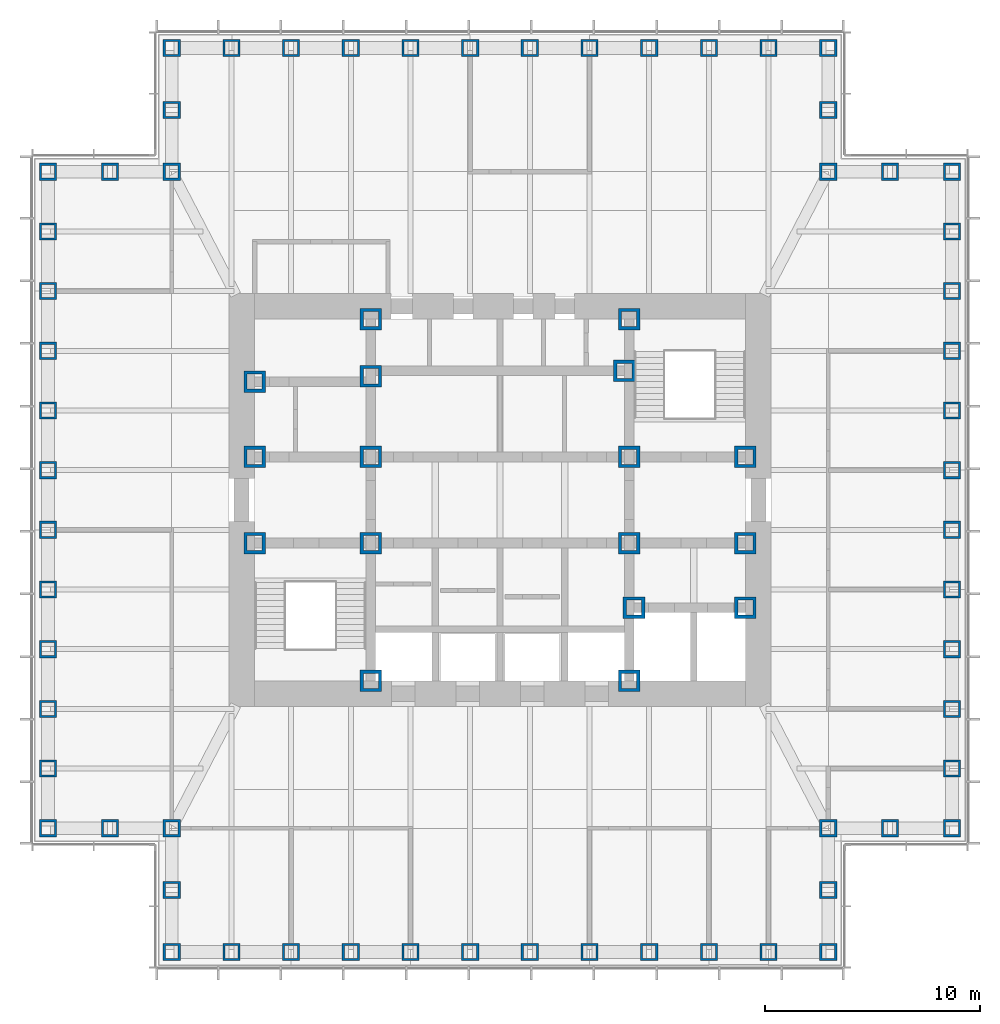
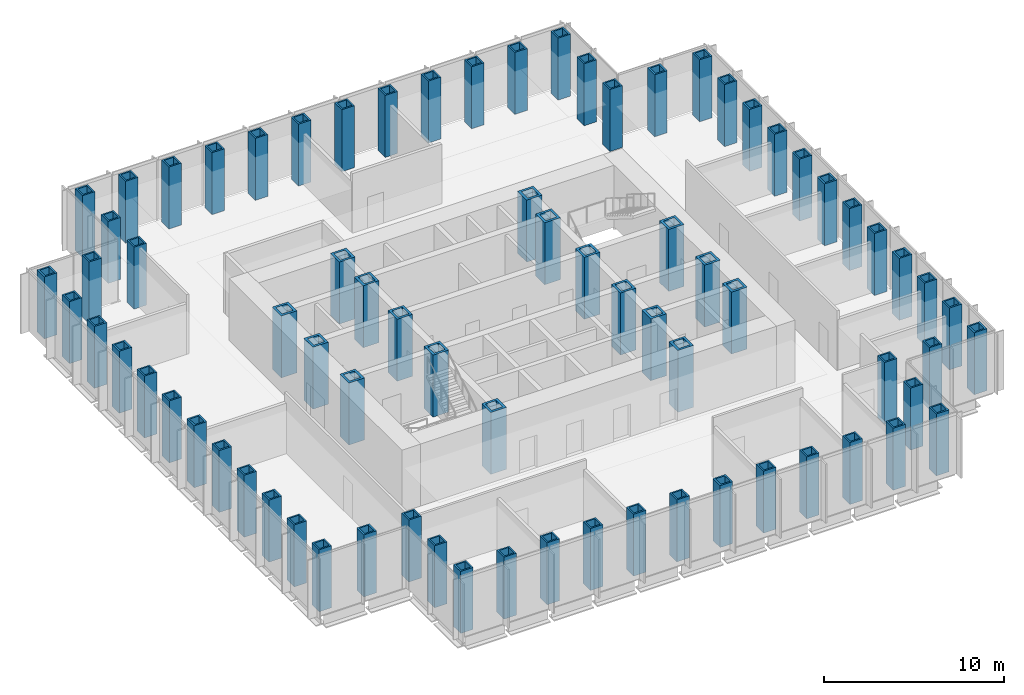
# One storey, part 1 of 16: 77 columns.
"""IFC4 building model written with IfcOpenShell, lengths in metres."""

import ifcopenshell
import ifcopenshell.guid

model = None  # the IFC model being written
_history = None  # IfcOwnerHistory: only IFC2X3 demands one
_inside = {}  # id of a spatial element -> (the spatial element, [elements in it])
_under = {}  # id of a project, library or spatial element -> (it, [spatial elements below it])
_declared = {}  # id of a project -> (the project, [libraries it declares])
_typed = {}  # id of a type object -> (the type object, [elements of that type])
_made_of = {}  # id of a material, layer set ... -> (it, [elements and type objects made of it])


def new_model(schema):
    """Start an empty IFC model of exactly this schema.

    Asked for "IFC4X3", IfcOpenShell would pick the latest addendum, in which some entities
    have other attributes; the version numbers below select the first issue.
    IFC2X3 requires an IfcOwnerHistory on every rooted entity: one is made here for all.
    """
    global model, _history
    if schema == "IFC4X3":
        model = ifcopenshell.file(schema_version=(4, 3, 0, 0))
    else:
        model = ifcopenshell.file(schema=schema)
    _inside.clear()
    _under.clear()
    _declared.clear()
    _typed.clear()
    _made_of.clear()
    _history = None
    if model.schema == "IFC2X3":
        org = make("IfcOrganization", Name="unknown")
        user = make(
            "IfcPersonAndOrganization",
            ThePerson=make("IfcPerson", FamilyName="unknown"),
            TheOrganization=org,
        )
        app = make(
            "IfcApplication",
            ApplicationDeveloper=org,
            Version="unknown",
            ApplicationFullName="unknown",
            ApplicationIdentifier="unknown",
        )
        _history = make(
            "IfcOwnerHistory",
            OwningUser=user,
            OwningApplication=app,
            ChangeAction="ADDED",
            CreationDate=0,
        )
    return model


def make(cls, **values):
    """One entity of the class cls with the attributes given. An attribute that is None is left unset."""
    return model.create_entity(
        cls, **{name: value for name, value in values.items() if value is not None}
    )


def rooted(cls, **values):
    """An entity with a GlobalId (a new one), such as an element, a storey or a relation."""
    return make(cls, GlobalId=ifcopenshell.guid.new(), OwnerHistory=_history, **values)


def si_unit(unit_type, name, prefix=None):
    """IfcSIUnit, for example si_unit("LENGTHUNIT", "METRE", prefix="MILLI")."""
    return make("IfcSIUnit", UnitType=unit_type, Prefix=prefix, Name=name)


def assignment(units):
    """IfcUnitAssignment: the units of a project."""
    return None if units is None else make("IfcUnitAssignment", Units=units)


def point(xyz):
    """IfcCartesianPoint."""
    return None if xyz is None else make("IfcCartesianPoint", Coordinates=xyz)


def direction(xyz):
    """IfcDirection."""
    return None if xyz is None else make("IfcDirection", DirectionRatios=xyz)


def frame(location, z_axis=None, x_axis=None):
    """IfcAxis2Placement3D, a coordinate frame: its origin and axes. An axis left out is left unset."""
    return make(
        "IfcAxis2Placement3D",
        Location=point(location),
        Axis=direction(z_axis),
        RefDirection=direction(x_axis),
    )


def frame_2d(location, x_axis=None):
    """IfcAxis2Placement2D, a coordinate frame in the plane: its origin and x axis."""
    return make(
        "IfcAxis2Placement2D", Location=point(location), RefDirection=direction(x_axis)
    )


def origin():
    """The frame at (0, 0, 0) with its axes left unset."""
    return frame((0.0, 0.0, 0.0))


def origin_2d():
    """The frame at (0, 0) in the plane with its x axis left unset."""
    return frame_2d((0.0, 0.0))


def place(relative_to, where):
    """IfcLocalPlacement: puts the frame where relative to a parent placement (None: the world)."""
    return make(
        "IfcLocalPlacement", PlacementRelTo=relative_to, RelativePlacement=where
    )


def context(
    kind, dimensions, precision=None, world=None, true_north=None, identifier=None
):
    """IfcGeometricRepresentationContext, for example the 3D "Model" context."""
    return make(
        "IfcGeometricRepresentationContext",
        ContextIdentifier=identifier,
        ContextType=kind,
        CoordinateSpaceDimension=dimensions,
        Precision=precision,
        WorldCoordinateSystem=world,
        TrueNorth=true_north,
    )


def subcontext(parent, identifier, kind, view, scale=None):
    """IfcGeometricRepresentationSubContext, for example "Body" below "Model"."""
    return make(
        "IfcGeometricRepresentationSubContext",
        ContextIdentifier=identifier,
        ContextType=kind,
        ParentContext=parent,
        TargetScale=scale,
        TargetView=view,
    )


def project(units=None, contexts=None):
    """IfcProject with its units and contexts."""
    return rooted(
        "IfcProject",
        Name="project",
        RepresentationContexts=contexts,
        UnitsInContext=assignment(units),
    )


def spatial(cls, under=None, at=None, **own):
    """A site, building, storey or space (cls), placed at a placement, below another one or the project."""
    s = rooted(cls, ObjectPlacement=at, **own)
    if under is not None:
        _under.setdefault(under.id(), (under, []))[1].append(s)
    return s


def profile(cls, at=None, kind="AREA", **sizes):
    """A parametric profile (cls). Its sizes go by their IFC names, for example OverallWidth=200.0."""
    return make(cls, ProfileType=kind, Position=at, **sizes)


def hollow_rectangle(**sizes):
    """IfcRectangleHollowProfileDef."""
    return profile("IfcRectangleHollowProfileDef", **sizes)


def extrude(swept, where, along, depth):
    """IfcExtrudedAreaSolid: the profile swept, set in the frame where, extruded along a direction by depth."""
    return make(
        "IfcExtrudedAreaSolid",
        SweptArea=swept,
        Position=where,
        ExtrudedDirection=direction(along),
        Depth=depth,
    )


def shape(context_of_items, identifier, shape_type, items):
    """IfcShapeRepresentation: the items that make up one representation, for example the "Body"."""
    return make(
        "IfcShapeRepresentation",
        ContextOfItems=context_of_items,
        RepresentationIdentifier=identifier,
        RepresentationType=shape_type,
        Items=items,
    )


def material(Name=None, Category=None):
    """IfcMaterial."""
    return make("IfcMaterial", Name=Name, Category=Category)


def material_profile(
    of_material, cross_section, Name=None, Category=None, Priority=None
):
    """IfcMaterialProfile: a cross section and its material."""
    return make(
        "IfcMaterialProfile",
        Name=Name,
        Material=of_material,
        Profile=cross_section,
        Priority=Priority,
        Category=Category,
    )


def profile_set(profiles, Name=None, composite=None):
    """IfcMaterialProfileSet."""
    return make(
        "IfcMaterialProfileSet",
        Name=Name,
        MaterialProfiles=profiles,
        CompositeProfile=composite,
    )


def made_of(thing, what):
    """Note that an element or type object is made of a material, layer set ...; save() writes the relation."""
    if what is not None:
        _made_of.setdefault(what.id(), (what, []))[1].append(thing)
    return thing


def type_object(cls, material=None, **own):
    """A type object (cls), such as IfcWallType, which elements share."""
    return made_of(rooted(cls, **own), material)


def element(
    cls,
    number,
    at=None,
    inside=None,
    cuts=None,
    type_object=None,
    material=None,
    context=None,
    identifier="Body",
    shape_type=None,
    held_by="IfcProductDefinitionShape",
    body=None,
    shapes=None,
    **own,
):
    """One element of the class cls, such as IfcWall. Its Tag is "e" and its number.

    at: its placement. inside: the storey or other place that contains it. cuts: it is an
    opening in that element (IfcRelVoidsElement). A single representation is given by context,
    identifier, shape_type and body (its items); several are given by shapes. held_by: the class
    of the entity that holds the representations. save() writes the other relations.
    """
    e = rooted(cls, Tag="e%d" % number, ObjectPlacement=at, **own)
    if body is not None:
        shapes = [shape(context, identifier, shape_type, body)]
    if shapes is not None:
        e.Representation = make(held_by, Representations=shapes)
    if inside is not None:
        _inside.setdefault(inside.id(), (inside, []))[1].append(e)
    if cuts is not None:
        rooted(
            "IfcRelVoidsElement", RelatingBuildingElement=cuts, RelatedOpeningElement=e
        )
    if type_object is not None:
        _typed.setdefault(type_object.id(), (type_object, []))[1].append(e)
    return made_of(e, material)


def aggregate(whole, parts):
    """IfcRelAggregates: a whole, such as a stair, and the parts it consists of."""
    return rooted("IfcRelAggregates", RelatingObject=whole, RelatedObjects=parts)


def save(model, path):
    """Write the relations noted so far, then the file.

    IfcRelAggregates (storeys below a building ...), IfcRelContainedInSpatialStructure (elements
    in a storey), IfcRelDefinesByType, IfcRelAssociatesMaterial and IfcRelDeclares: one each for
    every whole, place, type object, material and project.
    """
    for whole, parts in _under.values():
        aggregate(whole, parts)
    for where, things in _inside.values():
        rooted(
            "IfcRelContainedInSpatialStructure",
            RelatedElements=things,
            RelatingStructure=where,
        )
    for kind, things in _typed.values():
        rooted("IfcRelDefinesByType", RelatedObjects=things, RelatingType=kind)
    for what, things in _made_of.values():
        rooted("IfcRelAssociatesMaterial", RelatedObjects=things, RelatingMaterial=what)
    for by, libraries in _declared.values():
        rooted("IfcRelDeclares", RelatingContext=by, RelatedDefinitions=libraries)
    model.write(path)


model = new_model("IFC4")

# Units and contexts
model_context = context("Model", 3, precision=1e-05, world=origin(), true_north=direction((0.0, 1.0)))
body_context = subcontext(model_context, "Body", "Model", "MODEL_VIEW")
ifc_project = project(units=[si_unit("LENGTHUNIT", "METRE"), si_unit("AREAUNIT", "SQUARE_METRE"), si_unit("VOLUMEUNIT", "CUBIC_METRE"), si_unit("PLANEANGLEUNIT", "RADIAN"), si_unit("MASSUNIT", "GRAM", prefix="KILO")], contexts=[model_context])

# Site, building, storey
site_placement = place(None, origin())
site = spatial("IfcSite", under=ifc_project, at=site_placement, CompositionType="ELEMENT")
building_placement = place(site_placement, origin())
building = spatial("IfcBuilding", under=site, at=building_placement, Name="Daluyong Arena Tower", CompositionType="ELEMENT")
storey_placement = place(building_placement, frame((0.0, 0.0, 267.10009765625)))
storey = spatial("IfcBuildingStorey", under=building, at=storey_placement, Name="L60", CompositionType="ELEMENT", Elevation=267.10009765625)

# Columns
ifc_material_1 = material(Name="Steel ASTM A588 Grade 50", Category="steel")
ifc_material_profile_1 = material_profile(ifc_material_1, hollow_rectangle(XDim=1.0, YDim=1.0, WallThickness=0.15, at=origin_2d()))
ifc_profile_set_1 = profile_set([ifc_material_profile_1], Name="Steel ASTM A588 Grade 50")
column_type_1 = type_object("IfcColumnType", Name="Core boundary column BX1000X150", PredefinedType="COLUMN", material=ifc_profile_set_1)
for number, where, z_axis, x_axis, name in (
    (1, (44.60009765625, 78.0, 0.0), (0.0, 0.0, 1.0), (1.0, 0.0, 0.0), "core boundary column BC1"),
    (2, (44.60009765625, 82.0, 0.0), (0.0, 0.0, 1.0), (1.0, 0.0, 0.0), "core boundary column BC1"),
    (3, (44.60009765625, 85.5, 0.0), (0.0, 0.0, 1.0), (1.0, 0.0, 0.0), "core boundary column BC1"),
    (4, (50.0, 71.60009765625, 0.0), (0.0, 0.0, 1.0), (1.0, 0.0, 0.0), "core boundary column BC1"),
    (5, (50.0, 78.0, 0.0), (0.0, 0.0, 1.0), (1.0, 0.0, 0.0), "core boundary column BC1"),
    (6, (50.0, 82.0, 0.0), (0.0, 0.0, 1.0), (1.0, 0.0, 0.0), "core boundary column BC1"),
    (7, (50.0, 85.75, 0.0), (0.0, 0.0, 1.0), (1.0, 0.0, 0.0), "core boundary column BC1"),
    (8, (50.0, 88.39990234375, 0.0), (0.0, 0.0, 1.0), (1.0, 0.0, 0.0), "core boundary column BC1"),
    (9, (61.77490234375, 86.0, 0.0), (0.0, 0.0, 1.0), (1.0, 0.0, 0.0), "core boundary column BC1"),
    (10, (62.0, 71.60009765625, 0.0), (0.0, 0.0, 1.0), (1.0, 0.0, 0.0), "core boundary column BC1"),
    (11, (62.0, 78.0, 0.0), (0.0, 0.0, 1.0), (1.0, 0.0, 0.0), "core boundary column BC1"),
    (12, (62.0, 82.0, 0.0), (0.0, 0.0, 1.0), (1.0, 0.0, 0.0), "core boundary column BC1"),
    (13, (62.0, 88.39990234375, 0.0), (0.0, 0.0, 1.0), (1.0, 0.0, 0.0), "core boundary column BC1"),
    (14, (62.22509765625, 75.0, 0.0), (0.0, 0.0, 1.0), (1.0, 0.0, 0.0), "core boundary column BC1"),
    (15, (67.39990234375, 75.0, 0.0), (0.0, 0.0, 1.0), (1.0, 0.0, 0.0), "core boundary column BC1"),
    (16, (67.39990234375, 78.0, 0.0), (0.0, 0.0, 1.0), (1.0, 0.0, 0.0), "core boundary column BC1"),
    (17, (67.39990234375, 82.0, 0.0), (0.0, 0.0, 1.0), (1.0, 0.0, 0.0), "core boundary column BC1"),
):
    element("IfcColumn", number, at=place(storey_placement, frame(where, z_axis=z_axis, x_axis=x_axis)), inside=storey, type_object=column_type_1, Name=name, PredefinedType="COLUMN", context=body_context, shape_type="SweptSolid", body=[
        extrude(hollow_rectangle(XDim=1.0, YDim=1.0, WallThickness=0.15, at=origin_2d()), origin(), (0.0, 0.0, 1.0), 4.199951171875),
    ])
ifc_material_2 = material(Name="Steel ASTM A572 Grade 50", Category="steel")
ifc_material_profile_2 = material_profile(ifc_material_2, hollow_rectangle(XDim=0.800048828125, YDim=0.800048828125, WallThickness=0.1, at=origin_2d()))
ifc_profile_set_2 = profile_set([ifc_material_profile_2], Name="Steel ASTM A572 Grade 50")
column_type_2 = type_object("IfcColumnType", Name="Tube column BX800X100 BX800X100", PredefinedType="COLUMN", material=ifc_profile_set_2)
for number, where, z_axis, x_axis, name in (
    (18, (40.75, 59.0, 0.0), (0.0, 0.0, 1.0), (1.0, 0.0, 0.0), "tube column bx800x100 TC8"),
    (19, (43.522705078125, 59.0, 0.0), (0.0, 0.0, 1.0), (1.0, 0.0, 0.0), "tube column bx800x100 TC8"),
    (20, (46.29541015625, 59.0, 0.0), (0.0, 0.0, 1.0), (1.0, 0.0, 0.0), "tube column bx800x100 TC8"),
    (21, (49.068115234375, 59.0, 0.0), (0.0, 0.0, 1.0), (1.0, 0.0, 0.0), "tube column bx800x100 TC8"),
    (22, (51.8408203125, 59.0, 0.0), (0.0, 0.0, 1.0), (1.0, 0.0, 0.0), "tube column bx800x100 TC8"),
    (23, (54.613525390625, 59.0, 0.0), (0.0, 0.0, 1.0), (1.0, 0.0, 0.0), "tube column bx800x100 TC8"),
    (24, (57.386474609375, 59.0, 0.0), (0.0, 0.0, 1.0), (1.0, 0.0, 0.0), "tube column bx800x100 TC8"),
    (25, (60.1591796875, 59.0, 0.0), (0.0, 0.0, 1.0), (1.0, 0.0, 0.0), "tube column bx800x100 TC8"),
    (26, (62.931884765625, 59.0, 0.0), (0.0, 0.0, 1.0), (1.0, 0.0, 0.0), "tube column bx800x100 TC8"),
    (27, (65.70458984375, 59.0, 0.0), (0.0, 0.0, 1.0), (1.0, 0.0, 0.0), "tube column bx800x100 TC8"),
    (28, (68.477294921875, 59.0, 0.0), (0.0, 0.0, 1.0), (1.0, 0.0, 0.0), "tube column bx800x100 TC8"),
    (29, (71.25, 59.0, 0.0), (0.0, 0.0, 1.0), (0.0, 1.0, 0.0), "tube column bx800x100 TC8"),
    (30, (71.25, 61.875, 0.0), (0.0, 0.0, 1.0), (0.0, 1.0, 0.0), "tube column bx800x100 TC8"),
    (31, (71.25, 64.75, 0.0), (0.0, 0.0, 1.0), (1.0, 0.0, 0.0), "tube column bx800x100 TC8"),
    (32, (74.125, 64.75, 0.0), (0.0, 0.0, 1.0), (1.0, 0.0, 0.0), "tube column bx800x100 TC8"),
    (33, (77.0, 64.75, 0.0), (0.0, 0.0, 1.0), (0.0, 1.0, 0.0), "tube column bx800x100 TC8"),
    (34, (77.0, 67.522705078125, 0.0), (0.0, 0.0, 1.0), (0.0, 1.0, 0.0), "tube column bx800x100 TC8"),
    (35, (77.0, 70.29541015625, 0.0), (0.0, 0.0, 1.0), (0.0, 1.0, 0.0), "tube column bx800x100 TC8"),
    (36, (77.0, 73.068115234375, 0.0), (0.0, 0.0, 1.0), (0.0, 1.0, 0.0), "tube column bx800x100 TC8"),
    (37, (77.0, 75.8408203125, 0.0), (0.0, 0.0, 1.0), (0.0, 1.0, 0.0), "tube column bx800x100 TC8"),
    (38, (77.0, 78.613525390625, 0.0), (0.0, 0.0, 1.0), (0.0, 1.0, 0.0), "tube column bx800x100 TC8"),
    (39, (77.0, 81.386474609375, 0.0), (0.0, 0.0, 1.0), (0.0, 1.0, 0.0), "tube column bx800x100 TC8"),
    (40, (77.0, 84.1591796875, 0.0), (0.0, 0.0, 1.0), (0.0, 1.0, 0.0), "tube column bx800x100 TC8"),
    (41, (77.0, 86.931884765625, 0.0), (0.0, 0.0, 1.0), (0.0, 1.0, 0.0), "tube column bx800x100 TC8"),
    (42, (77.0, 89.70458984375, 0.0), (0.0, 0.0, 1.0), (0.0, 1.0, 0.0), "tube column bx800x100 TC8"),
    (43, (77.0, 92.477294921875, 0.0), (0.0, 0.0, 1.0), (0.0, 1.0, 0.0), "tube column bx800x100 TC8"),
    (44, (77.0, 95.25, 0.0), (0.0, 0.0, 1.0), (1.0, 0.0, 0.0), "tube column bx800x100 TC8"),
    (45, (74.125, 95.25, 0.0), (0.0, 0.0, 1.0), (1.0, 0.0, 0.0), "tube column bx800x100 TC8"),
    (46, (71.25, 95.25, 0.0), (0.0, 0.0, 1.0), (0.0, 1.0, 0.0), "tube column bx800x100 TC8"),
    (47, (71.25, 98.125, 0.0), (0.0, 0.0, 1.0), (0.0, 1.0, 0.0), "tube column bx800x100 TC8"),
    (48, (71.25, 101.0, 0.0), (0.0, 0.0, 1.0), (1.0, 0.0, 0.0), "tube column bx800x100 TC8"),
    (49, (68.477294921875, 101.0, 0.0), (0.0, 0.0, 1.0), (1.0, 0.0, 0.0), "tube column bx800x100 TC8"),
    (50, (65.70458984375, 101.0, 0.0), (0.0, 0.0, 1.0), (1.0, 0.0, 0.0), "tube column bx800x100 TC8"),
    (51, (62.931884765625, 101.0, 0.0), (0.0, 0.0, 1.0), (1.0, 0.0, 0.0), "tube column bx800x100 TC8"),
    (52, (60.1591796875, 101.0, 0.0), (0.0, 0.0, 1.0), (1.0, 0.0, 0.0), "tube column bx800x100 TC8"),
    (53, (57.386474609375, 101.0, 0.0), (0.0, 0.0, 1.0), (1.0, 0.0, 0.0), "tube column bx800x100 TC8"),
    (54, (54.613525390625, 101.0, 0.0), (0.0, 0.0, 1.0), (1.0, 0.0, 0.0), "tube column bx800x100 TC8"),
    (55, (51.8408203125, 101.0, 0.0), (0.0, 0.0, 1.0), (1.0, 0.0, 0.0), "tube column bx800x100 TC8"),
    (56, (49.068115234375, 101.0, 0.0), (0.0, 0.0, 1.0), (1.0, 0.0, 0.0), "tube column bx800x100 TC8"),
    (57, (46.29541015625, 101.0, 0.0), (0.0, 0.0, 1.0), (1.0, 0.0, 0.0), "tube column bx800x100 TC8"),
    (58, (43.522705078125, 101.0, 0.0), (0.0, 0.0, 1.0), (1.0, 0.0, 0.0), "tube column bx800x100 TC8"),
    (59, (40.75, 101.0, 0.0), (0.0, 0.0, 1.0), (0.0, 1.0, 0.0), "tube column bx800x100 TC8"),
    (60, (40.75, 98.125, 0.0), (0.0, 0.0, 1.0), (0.0, 1.0, 0.0), "tube column bx800x100 TC8"),
    (61, (40.75, 95.25, 0.0), (0.0, 0.0, 1.0), (1.0, 0.0, 0.0), "tube column bx800x100 TC8"),
    (62, (37.875, 95.25, 0.0), (0.0, 0.0, 1.0), (1.0, 0.0, 0.0), "tube column bx800x100 TC8"),
    (63, (35.0, 95.25, 0.0), (0.0, 0.0, 1.0), (0.0, 1.0, 0.0), "tube column bx800x100 TC8"),
    (64, (35.0, 92.477294921875, 0.0), (0.0, 0.0, 1.0), (0.0, 1.0, 0.0), "tube column bx800x100 TC8"),
    (65, (35.0, 89.70458984375, 0.0), (0.0, 0.0, 1.0), (0.0, 1.0, 0.0), "tube column bx800x100 TC8"),
    (66, (35.0, 86.931884765625, 0.0), (0.0, 0.0, 1.0), (0.0, 1.0, 0.0), "tube column bx800x100 TC8"),
    (67, (35.0, 84.1591796875, 0.0), (0.0, 0.0, 1.0), (0.0, 1.0, 0.0), "tube column bx800x100 TC8"),
    (68, (35.0, 81.386474609375, 0.0), (0.0, 0.0, 1.0), (0.0, 1.0, 0.0), "tube column bx800x100 TC8"),
    (69, (35.0, 78.613525390625, 0.0), (0.0, 0.0, 1.0), (0.0, 1.0, 0.0), "tube column bx800x100 TC8"),
    (70, (35.0, 75.8408203125, 0.0), (0.0, 0.0, 1.0), (0.0, 1.0, 0.0), "tube column bx800x100 TC8"),
    (71, (35.0, 73.068115234375, 0.0), (0.0, 0.0, 1.0), (0.0, 1.0, 0.0), "tube column bx800x100 TC8"),
    (72, (35.0, 70.29541015625, 0.0), (0.0, 0.0, 1.0), (0.0, 1.0, 0.0), "tube column bx800x100 TC8"),
    (73, (35.0, 67.522705078125, 0.0), (0.0, 0.0, 1.0), (0.0, 1.0, 0.0), "tube column bx800x100 TC8"),
    (74, (35.0, 64.75, 0.0), (0.0, 0.0, 1.0), (1.0, 0.0, 0.0), "tube column bx800x100 TC8"),
    (75, (37.875, 64.75, 0.0), (0.0, 0.0, 1.0), (1.0, 0.0, 0.0), "tube column bx800x100 TC8"),
    (76, (40.75, 64.75, 0.0), (0.0, 0.0, 1.0), (0.0, 1.0, 0.0), "tube column bx800x100 TC8"),
    (77, (40.75, 61.875, 0.0), (0.0, 0.0, 1.0), (0.0, 1.0, 0.0), "tube column bx800x100 TC8"),
):
    element("IfcColumn", number, at=place(storey_placement, frame(where, z_axis=z_axis, x_axis=x_axis)), inside=storey, type_object=column_type_2, Name=name, PredefinedType="COLUMN", context=body_context, shape_type="SweptSolid", body=[
        extrude(hollow_rectangle(XDim=0.800048828125, YDim=0.800048828125, WallThickness=0.1, at=origin_2d()), origin(), (0.0, 0.0, 1.0), 4.199951171875),
    ])

save(model, "model.ifc")
